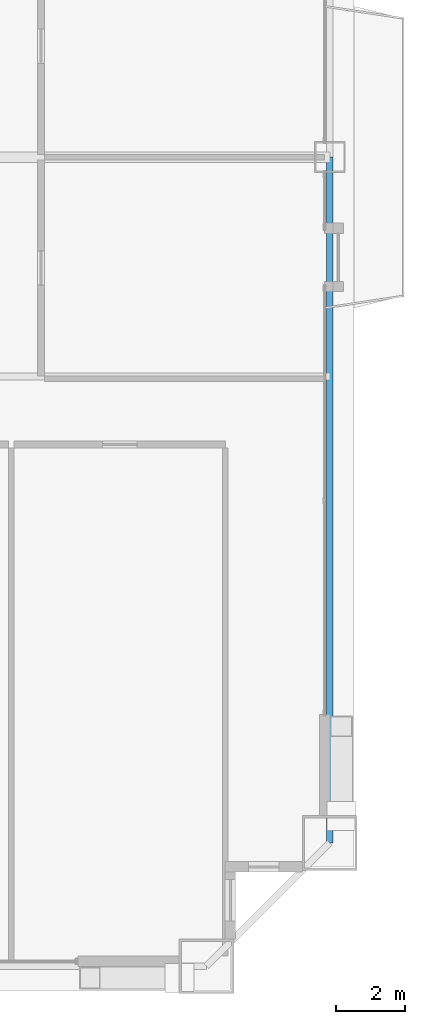
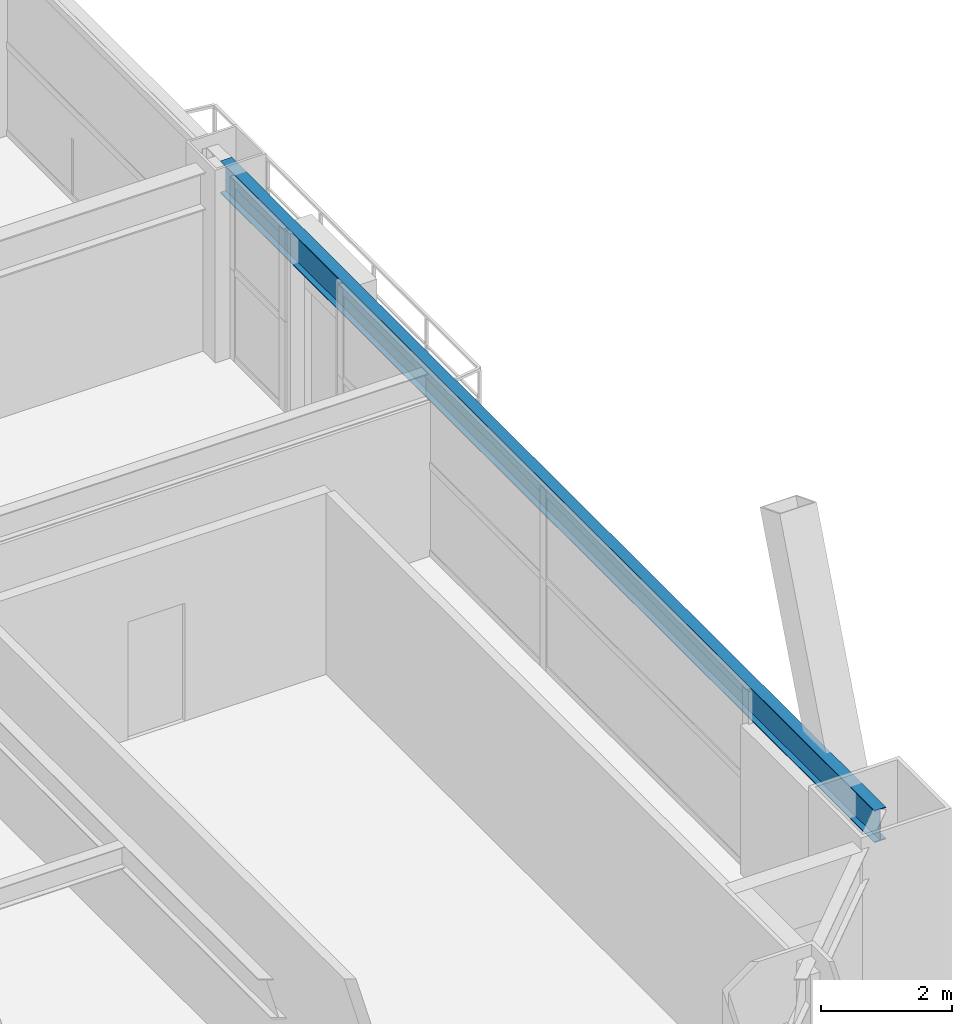
# One storey, part 19 of 43: 1 beam.
"""IFC4 building model written with IfcOpenShell, lengths in metres."""

from ifc_helpers import new_model, si_unit, direction, frame, origin, origin_2d, place, context, subcontext, project, spatial, i_section, extrude, source, transform, mapped, material, material_profile, profile_set, type_object, element, save


model = new_model("IFC4")

# Units and contexts
model_context = context("Model", 3, precision=1e-05, world=origin(), true_north=direction((0.0, 1.0)))
body_context = subcontext(model_context, "Body", "Model", "MODEL_VIEW")
ifc_project = project(units=[si_unit("LENGTHUNIT", "METRE"), si_unit("AREAUNIT", "SQUARE_METRE"), si_unit("VOLUMEUNIT", "CUBIC_METRE"), si_unit("PLANEANGLEUNIT", "RADIAN"), si_unit("MASSUNIT", "GRAM", prefix="KILO"), si_unit("THERMODYNAMICTEMPERATUREUNIT", "KELVIN"), si_unit("POWERUNIT", "WATT")], contexts=[model_context])

# Site, building, storey
site_placement = place(None, origin())
site = spatial("IfcSite", under=ifc_project, at=site_placement, CompositionType="ELEMENT")
building_placement = place(site_placement, origin())
building = spatial("IfcBuilding", under=site, at=building_placement, Name="Yuzanri Waterfront Tower", CompositionType="ELEMENT")
storey_placement = place(building_placement, frame((0.0, 0.0, 159.60009765625)))
storey = spatial("IfcBuildingStorey", under=building, at=storey_placement, Name="L42", CompositionType="ELEMENT", Elevation=159.60009765625)

# Beam
ifc_material = material(Name="Steel Q355B", Category="steel")
ifc_material_profile = material_profile(ifc_material, i_section(OverallWidth=0.199951171875, OverallDepth=0.60009765625, WebThickness=0.010986328125, FlangeThickness=0.01708984375, at=origin_2d()), Name="HN 600x200x11x17")
ifc_profile_set = profile_set([ifc_material_profile], Name="Steel Q355B")
beam_type = type_object("IfcBeamType", Name="Perimeter Spandrel Q355B HN 600x200", PredefinedType="SPANDREL", material=ifc_profile_set)
shared_shape = source(origin(), body_context, "Body", "SweptSolid", [
    extrude(i_section(OverallWidth=0.199951171875, OverallDepth=0.60009765625, WebThickness=0.010986328125, FlangeThickness=0.01708984375, at=origin_2d()), origin(), (0.0, 0.0, 1.0), 20.0),
])
beam_placement = place(storey_placement, frame((60.60009765625, 5.800048828125, 3.079833984375), z_axis=(0.0, 1.0, 0.0), x_axis=(-1.0, 0.0, 0.0)))
element("IfcBeam", 1, at=beam_placement, inside=storey, type_object=beam_type, Name="L42 Perimeter Spandrel E1-E2", PredefinedType="SPANDREL", context=body_context, shape_type="MappedRepresentation", body=[
    mapped(shared_shape, transform((0.0, 0.0, 0.0), scale=1.0)),
])

save(model, "model.ifc")
